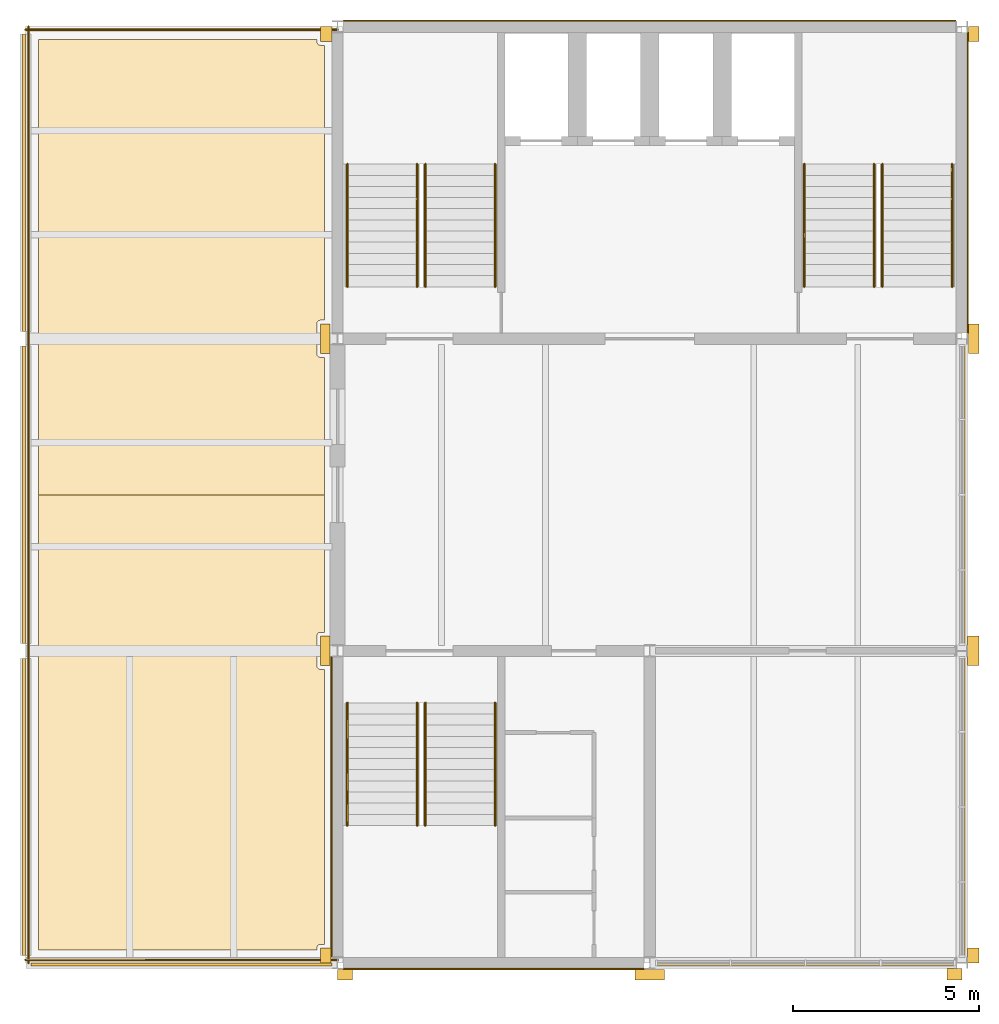
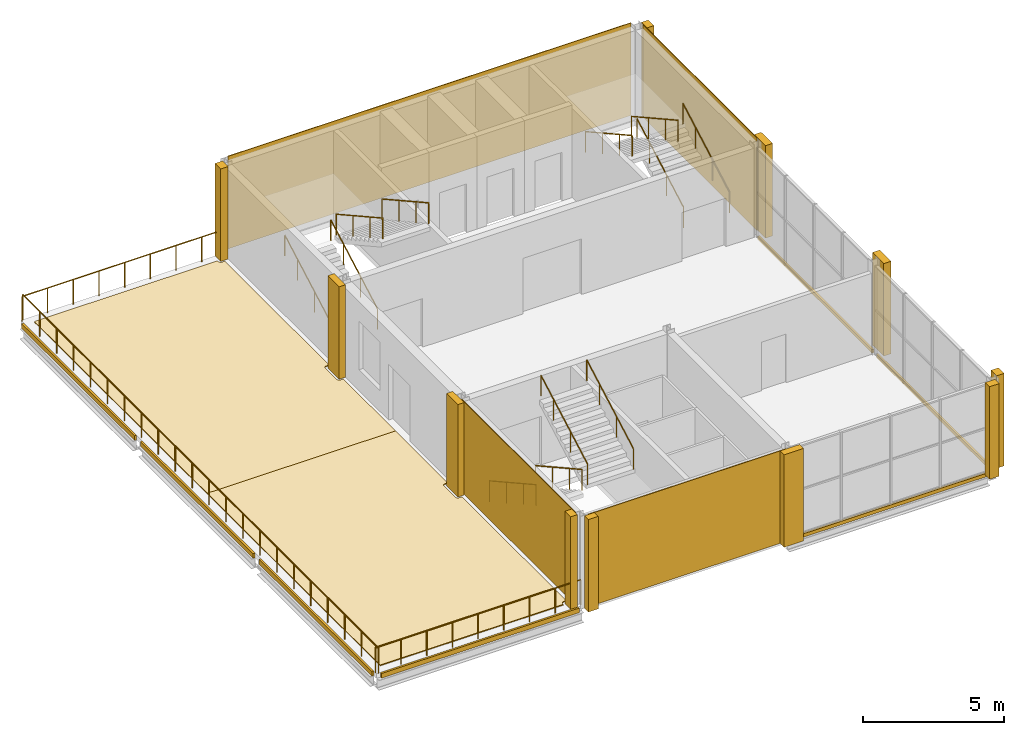
# One storey, part 6 of 6: 24 coverings, 15 railings.
"""IFC4 building model written with IfcOpenShell, lengths in metres."""

from ifc_helpers import new_model, si_unit, direction, frame, origin, origin_2d, place, context, subcontext, project, spatial, polyline, rectangle, circle, outline, extrude, material, layer, layer_set, type_object, element, save


model = new_model("IFC4")

# Units and contexts
model_context = context("Model", 3, precision=1e-05, world=origin(), true_north=direction((0.0, 1.0)))
body_context = subcontext(model_context, "Body", "Model", "MODEL_VIEW")
ifc_project = project(units=[si_unit("LENGTHUNIT", "METRE"), si_unit("AREAUNIT", "SQUARE_METRE"), si_unit("VOLUMEUNIT", "CUBIC_METRE"), si_unit("PLANEANGLEUNIT", "RADIAN"), si_unit("MASSUNIT", "GRAM", prefix="KILO")], contexts=[model_context])

# Site, building, storey
site_placement = place(None, origin())
site = spatial("IfcSite", under=ifc_project, at=site_placement, CompositionType="ELEMENT")
building_placement = place(site_placement, origin())
building = spatial("IfcBuilding", under=site, at=building_placement, Name="Galleria Vessillo Department Store", CompositionType="ELEMENT")
storey_placement = place(building_placement, frame((0.0, 0.0, 59.60009765625)))
storey = spatial("IfcBuildingStorey", under=building, at=storey_placement, Name="L13", CompositionType="ELEMENT", Elevation=59.60009765625)

# Coverings
ifc_material_1 = material(Name="Lime plaster (intonaco) ochre")
ifc_layer_1 = layer(ifc_material_1, 0.030029296875)
ifc_layer_set_1 = layer_set([ifc_layer_1], Name="Lime plaster (intonaco) ochre")
covering_type_1 = type_object("IfcCoveringType", Name="Lime plaster render 30 mm", PredefinedType="CLADDING", material=ifc_layer_set_1)
covering_1_placement = place(storey_placement, frame((109.195068359375, 63.1650390625, 0.0), z_axis=(0.0, 0.0, 1.0), x_axis=(1.0, 0.0, 0.0)))
element("IfcCovering", 1, at=covering_1_placement, inside=storey, type_object=covering_type_1, Name="Wall cladding S-CW-TC-PARTY-L13", PredefinedType="CLADDING", context=body_context, shape_type="SweptSolid", body=[
    extrude(rectangle(XDim=16.489990234375, YDim=0.030029296875, at=origin_2d()), origin(), (0.0, 0.0, 1.0), 4.0),
])
ifc_material_2 = material(Name="Botticino limestone ashlar", Category="masonry")
ifc_layer_2 = layer(ifc_material_2, 0.14990234375)
ifc_layer_set_2 = layer_set([ifc_layer_2], Name="Botticino limestone ashlar")
covering_type_2 = type_object("IfcCoveringType", Name="Limestone slab-edge fascia 150 mm", PredefinedType="CLADDING", material=ifc_layer_set_2)
covering_2_placement = place(storey_placement, frame((92.35986328125, 42.0, -0.2001953125), z_axis=(0.0, 0.0, 1.0), x_axis=(1.0, 0.0, 0.0)))
element("IfcCovering", 2, at=covering_2_placement, inside=storey, type_object=covering_type_2, Name="Slab-edge fascia TW-L12-01", PredefinedType="CLADDING", context=body_context, shape_type="SweptSolid", body=[
    extrude(rectangle(XDim=0.080078125, YDim=8.0, at=origin_2d()), origin(), (0.0, 0.0, 1.0), 0.199951171875),
])
covering_3_placement = place(storey_placement, frame((92.35986328125, 50.39990234375, -0.2001953125), z_axis=(0.0, 0.0, 1.0), x_axis=(1.0, 0.0, 0.0)))
element("IfcCovering", 3, at=covering_3_placement, inside=storey, type_object=covering_type_2, Name="Slab-edge fascia TW-L12-02", PredefinedType="CLADDING", context=body_context, shape_type="SweptSolid", body=[
    extrude(rectangle(XDim=0.080078125, YDim=8.000244140625, at=origin_2d()), origin(), (0.0, 0.0, 1.0), 0.199951171875),
])
covering_4_placement = place(storey_placement, frame((92.35986328125, 58.800048828125, -0.2001953125), z_axis=(0.0, 0.0, 1.0), x_axis=(1.0, 0.0, 0.0)))
element("IfcCovering", 4, at=covering_4_placement, inside=storey, type_object=covering_type_2, Name="Slab-edge fascia TW-L12-03", PredefinedType="CLADDING", context=body_context, shape_type="SweptSolid", body=[
    extrude(rectangle(XDim=0.080078125, YDim=8.0, at=origin_2d()), origin(), (0.0, 0.0, 1.0), 0.199951171875),
])
covering_5_placement = place(storey_placement, frame((96.60009765625, 37.760009765625, -0.2001953125), z_axis=(0.0, 0.0, 1.0), x_axis=(1.0, 0.0, 0.0)))
element("IfcCovering", 5, at=covering_5_placement, inside=storey, type_object=covering_type_2, Name="Slab-edge fascia TS-L12-01", PredefinedType="CLADDING", context=body_context, shape_type="SweptSolid", body=[
    extrude(rectangle(XDim=8.10009765625, YDim=0.080078125, at=origin_2d()), origin(), (0.0, 0.0, 1.0), 0.199951171875),
])
covering_6_placement = place(storey_placement, frame((113.375, 37.760009765625, -0.14990234375), z_axis=(0.0, 0.0, 1.0), x_axis=(1.0, 0.0, 0.0)))
element("IfcCovering", 6, at=covering_6_placement, inside=storey, type_object=covering_type_2, Name="Slab-edge fascia TS-L12-02", PredefinedType="CLADDING", context=body_context, shape_type="SweptSolid", body=[
    extrude(rectangle(XDim=8.050048828125, YDim=0.080078125, at=origin_2d()), origin(), (0.0, 0.0, 1.0), 0.14990234375),
])
covering_7_placement = place(storey_placement, frame((117.64013671875, 42.0, -0.14990234375), z_axis=(0.0, 0.0, 1.0), x_axis=(1.0, 0.0, 0.0)))
element("IfcCovering", 7, at=covering_7_placement, inside=storey, type_object=covering_type_2, Name="Slab-edge fascia TE-L12-01", PredefinedType="CLADDING", context=body_context, shape_type="SweptSolid", body=[
    extrude(rectangle(XDim=0.080078125, YDim=8.099853515625, at=origin_2d()), origin(), (0.0, 0.0, 1.0), 0.14990234375),
])
covering_8_placement = place(storey_placement, frame((117.64013671875, 50.39990234375, -0.14990234375), z_axis=(0.0, 0.0, 1.0), x_axis=(1.0, 0.0, 0.0)))
element("IfcCovering", 8, at=covering_8_placement, inside=storey, type_object=covering_type_2, Name="Slab-edge fascia TE-L12-02", PredefinedType="CLADDING", context=body_context, shape_type="SweptSolid", body=[
    extrude(rectangle(XDim=0.080078125, YDim=8.10009765625, at=origin_2d()), origin(), (0.0, 0.0, 1.0), 0.14990234375),
])
ifc_material_3 = material(Name="Botticino limestone ashlar", Category="masonry")
ifc_layer_3 = layer(ifc_material_3, 0.31005859375)
ifc_layer_set_3 = layer_set([ifc_layer_3], Name="Botticino limestone ashlar")
covering_type_3 = type_object("IfcCoveringType", Name="Limestone tower pilaster strip", PredefinedType="CLADDING", material=ifc_layer_set_3)
covering_9_placement = place(storey_placement, frame((100.47998046875, 38.0, 0.0), z_axis=(0.0, 0.0, 1.0), x_axis=(1.0, 0.0, 0.0)))
element("IfcCovering", 9, at=covering_9_placement, inside=storey, type_object=covering_type_3, Name="Tower pilaster strip W L13 37.8", PredefinedType="CLADDING", context=body_context, shape_type="SweptSolid", body=[
    extrude(rectangle(XDim=0.280029296875, YDim=0.39990234375, at=origin_2d()), origin(), (0.0, 0.0, 1.0), 4.0),
])
for number, where, z_axis, x_axis, name in (
    (10, (100.469970703125, 46.199951171875, 0.0), (0.0, 0.0, 1.0), (1.0, 0.0, 0.0), "Tower pilaster strip W L13 46.2"),
    (11, (100.469970703125, 54.60009765625, 0.0), (0.0, 0.0, 1.0), (1.0, 0.0, 0.0), "Tower pilaster strip W L13 54.6"),
):
    element("IfcCovering", number, at=place(storey_placement, frame(where, z_axis=z_axis, x_axis=x_axis)), inside=storey, type_object=covering_type_3, Name=name, PredefinedType="CLADDING", context=body_context, shape_type="SweptSolid", body=[
        extrude(rectangle(XDim=0.260009765625, YDim=0.800048828125, at=origin_2d()), origin(), (0.0, 0.0, 1.0), 4.0),
    ])
covering_10_placement = place(storey_placement, frame((100.4951171875, 62.800048828125, 0.0), z_axis=(0.0, 0.0, 1.0), x_axis=(1.0, 0.0, 0.0)))
element("IfcCovering", 12, at=covering_10_placement, inside=storey, type_object=covering_type_3, Name="Tower pilaster strip W L13 63.0", PredefinedType="CLADDING", context=body_context, shape_type="SweptSolid", body=[
    extrude(rectangle(XDim=0.31005859375, YDim=0.39990234375, at=origin_2d()), origin(), (0.0, 0.0, 1.0), 4.0),
])
covering_11_placement = place(storey_placement, frame((117.909912109375, 38.0, 0.0), z_axis=(0.0, 0.0, 1.0), x_axis=(1.0, 0.0, 0.0)))
element("IfcCovering", 13, at=covering_11_placement, inside=storey, type_object=covering_type_3, Name="Tower pilaster strip E L13 37.8", PredefinedType="CLADDING", context=body_context, shape_type="SweptSolid", body=[
    extrude(rectangle(XDim=0.300048828125, YDim=0.39990234375, at=origin_2d()), origin(), (0.0, 0.0, 1.0), 4.0),
])
covering_12_placement = place(storey_placement, frame((117.909912109375, 46.199951171875, 0.0), z_axis=(0.0, 0.0, 1.0), x_axis=(1.0, 0.0, 0.0)))
element("IfcCovering", 14, at=covering_12_placement, inside=storey, type_object=covering_type_3, Name="Tower pilaster strip E L13 46.2", PredefinedType="CLADDING", context=body_context, shape_type="SweptSolid", body=[
    extrude(rectangle(XDim=0.300048828125, YDim=0.800048828125, at=origin_2d()), origin(), (0.0, 0.0, 1.0), 4.0),
])
covering_13_placement = place(storey_placement, frame((117.919921875, 54.60009765625, 0.0), z_axis=(0.0, 0.0, 1.0), x_axis=(1.0, 0.0, 0.0)))
element("IfcCovering", 15, at=covering_13_placement, inside=storey, type_object=covering_type_3, Name="Tower pilaster strip E L13 54.6", PredefinedType="CLADDING", context=body_context, shape_type="SweptSolid", body=[
    extrude(rectangle(XDim=0.280029296875, YDim=0.800048828125, at=origin_2d()), origin(), (0.0, 0.0, 1.0), 4.0),
])
covering_14_placement = place(storey_placement, frame((117.919921875, 62.800048828125, 0.0), z_axis=(0.0, 0.0, 1.0), x_axis=(1.0, 0.0, 0.0)))
element("IfcCovering", 16, at=covering_14_placement, inside=storey, type_object=covering_type_3, Name="Tower pilaster strip E L13 63.0", PredefinedType="CLADDING", context=body_context, shape_type="SweptSolid", body=[
    extrude(rectangle(XDim=0.280029296875, YDim=0.39990234375, at=origin_2d()), origin(), (0.0, 0.0, 1.0), 4.0),
])
covering_15_placement = place(storey_placement, frame((101.0, 37.47998046875, 0.0), z_axis=(0.0, 0.0, 1.0), x_axis=(1.0, 0.0, 0.0)))
element("IfcCovering", 17, at=covering_15_placement, inside=storey, type_object=covering_type_3, Name="Tower pilaster strip S L13 100.8", PredefinedType="CLADDING", context=body_context, shape_type="SweptSolid", body=[
    extrude(rectangle(XDim=0.39990234375, YDim=0.280029296875, at=origin_2d()), origin(), (0.0, 0.0, 1.0), 4.0),
])
covering_16_placement = place(storey_placement, frame((109.199951171875, 37.47998046875, 0.0), z_axis=(0.0, 0.0, 1.0), x_axis=(1.0, 0.0, 0.0)))
element("IfcCovering", 18, at=covering_16_placement, inside=storey, type_object=covering_type_3, Name="Tower pilaster strip S L13 109.2", PredefinedType="CLADDING", context=body_context, shape_type="SweptSolid", body=[
    extrude(rectangle(XDim=0.800048828125, YDim=0.280029296875, at=origin_2d()), origin(), (0.0, 0.0, 1.0), 4.0),
])
covering_17_placement = place(storey_placement, frame((117.400146484375, 37.4951171875, 0.0), z_axis=(0.0, 0.0, 1.0), x_axis=(1.0, 0.0, 0.0)))
element("IfcCovering", 19, at=covering_17_placement, inside=storey, type_object=covering_type_3, Name="Tower pilaster strip S L13 117.6", PredefinedType="CLADDING", context=body_context, shape_type="SweptSolid", body=[
    extrude(rectangle(XDim=0.39990234375, YDim=0.31005859375, at=origin_2d()), origin(), (0.0, 0.0, 1.0), 4.0),
])
ifc_material_4 = material(Name="Botticino limestone ashlar", Category="masonry")
ifc_layer_4 = layer(ifc_material_4, 0.030029296875)
ifc_layer_set_4 = layer_set([ifc_layer_4], Name="Botticino limestone ashlar")
covering_type_4 = type_object("IfcCoveringType", Name="Limestone wall cladding 30 mm", PredefinedType="CLADDING", material=ifc_layer_set_4)
covering_18_placement = place(storey_placement, frame((117.76513671875, 58.800048828125, 0.0), z_axis=(0.0, 0.0, 1.0), x_axis=(1.0, 0.0, 0.0)))
element("IfcCovering", 20, at=covering_18_placement, inside=storey, type_object=covering_type_4, Name="Wall cladding S-CW-TC-EAST-L13", PredefinedType="CLADDING", context=body_context, shape_type="SweptSolid", body=[
    extrude(rectangle(XDim=0.030029296875, YDim=8.099853515625, at=origin_2d()), origin(), (0.0, 0.0, 1.0), 4.0),
])
covering_19_placement = place(storey_placement, frame((105.0, 37.635009765625, 0.0), z_axis=(0.0, 0.0, 1.0), x_axis=(1.0, 0.0, 0.0)))
element("IfcCovering", 21, at=covering_19_placement, inside=storey, type_object=covering_type_4, Name="Wall cladding S-CW-TS-PARTY-L13", PredefinedType="CLADDING", context=body_context, shape_type="SweptSolid", body=[
    extrude(rectangle(XDim=8.099853515625, YDim=0.030029296875, at=origin_2d()), origin(), (0.0, 0.0, 1.0), 4.0),
])
covering_20_placement = place(storey_placement, frame((100.635009765625, 42.0, 0.0), z_axis=(0.0, 0.0, 1.0), x_axis=(1.0, 0.0, 0.0)))
element("IfcCovering", 22, at=covering_20_placement, inside=storey, type_object=covering_type_4, Name="Wall cladding S-CW-TS-WEST-L13", PredefinedType="CLADDING", context=body_context, shape_type="SweptSolid", body=[
    extrude(rectangle(XDim=0.030029296875, YDim=8.079833984375, at=origin_2d()), origin(), (0.0, 0.0, 1.0), 4.0),
])
ifc_material_5 = material(Name="Serizzo granite paving", Category="masonry")
ifc_layer_5 = layer(ifc_material_5, 0.0400390625)
ifc_layer_set_5 = layer_set([ifc_layer_5], Name="Serizzo granite paving")
covering_type_5 = type_object("IfcCoveringType", Name="Serizzo stone terrace paving 40 mm", PredefinedType="FLOORING", material=ifc_layer_set_5)
covering_21_placement = place(storey_placement, origin())
element("IfcCovering", 23, at=covering_21_placement, inside=storey, type_object=covering_type_5, Name="Terrace paving L13 field 1", PredefinedType="FLOORING", context=body_context, shape_type="SweptSolid", body=[
    extrude(outline(polyline([(100.449951171875, 46.699951171875), (100.340087890625, 46.699951171875), (100.330322265625, 46.699462890625), (100.320556640625, 46.697998046875), (100.31103515625, 46.69580078125), (100.3017578125, 46.6923828125), (100.29296875, 46.688232421875), (100.284423828125, 46.68310546875), (100.276611328125, 46.67724609375), (100.269287109375, 46.670654296875), (100.2626953125, 46.663330078125), (100.2568359375, 46.655517578125), (100.251953125, 46.647216796875), (100.24755859375, 46.63818359375), (100.244384765625, 46.629150390625), (100.241943359375, 46.61962890625), (100.240478515625, 46.60986328125), (100.239990234375, 46.60009765625), (100.239990234375, 45.800048828125), (100.240478515625, 45.790283203125), (100.241943359375, 45.780517578125), (100.244384765625, 45.77099609375), (100.24755859375, 45.76171875), (100.251953125, 45.7529296875), (100.2568359375, 45.744384765625), (100.2626953125, 45.736572265625), (100.269287109375, 45.729248046875), (100.276611328125, 45.72265625), (100.284423828125, 45.716796875), (100.29296875, 45.7119140625), (100.3017578125, 45.70751953125), (100.31103515625, 45.704345703125), (100.320556640625, 45.701904296875), (100.330322265625, 45.700439453125), (100.340087890625, 45.699951171875), (100.449951171875, 45.699951171875), (100.449951171875, 38.300048828125), (100.340087890625, 38.300048828125), (100.330322265625, 38.299560546875), (100.320556640625, 38.298095703125), (100.31103515625, 38.295654296875), (100.3017578125, 38.29248046875), (100.29296875, 38.2880859375), (100.284423828125, 38.283203125), (100.276611328125, 38.27734375), (100.269287109375, 38.270751953125), (100.2626953125, 38.263427734375), (100.2568359375, 38.255615234375), (100.251953125, 38.2470703125), (100.24755859375, 38.23828125), (100.244384765625, 38.22900390625), (100.241943359375, 38.219482421875), (100.240478515625, 38.209716796875), (100.239990234375, 38.199951171875), (100.239990234375, 38.150146484375), (92.75, 38.150146484375), (92.75, 50.39990234375), (100.449951171875, 50.39990234375), (100.449951171875, 46.699951171875)])), origin(), (0.0, 0.0, 1.0), 0.0400390625),
])
covering_22_placement = place(storey_placement, origin())
element("IfcCovering", 24, at=covering_22_placement, inside=storey, type_object=covering_type_5, Name="Terrace paving L13 field 2", PredefinedType="FLOORING", context=body_context, shape_type="SweptSolid", body=[
    extrude(outline(polyline([(100.239990234375, 62.64990234375), (100.239990234375, 62.60009765625), (100.240478515625, 62.590087890625), (100.241943359375, 62.58056640625), (100.244384765625, 62.571044921875), (100.24755859375, 62.561767578125), (100.251953125, 62.552978515625), (100.2568359375, 62.54443359375), (100.2626953125, 62.53662109375), (100.269287109375, 62.529296875), (100.276611328125, 62.522705078125), (100.284423828125, 62.516845703125), (100.29296875, 62.51171875), (100.3017578125, 62.507568359375), (100.31103515625, 62.50439453125), (100.320556640625, 62.501953125), (100.330322265625, 62.50048828125), (100.340087890625, 62.5), (100.449951171875, 62.5), (100.449951171875, 55.10009765625), (100.340087890625, 55.10009765625), (100.330322265625, 55.099609375), (100.320556640625, 55.09814453125), (100.31103515625, 55.095703125), (100.3017578125, 55.092529296875), (100.29296875, 55.08837890625), (100.284423828125, 55.083251953125), (100.276611328125, 55.077392578125), (100.269287109375, 55.07080078125), (100.2626953125, 55.0634765625), (100.2568359375, 55.0556640625), (100.251953125, 55.047119140625), (100.24755859375, 55.038330078125), (100.244384765625, 55.029052734375), (100.241943359375, 55.01953125), (100.240478515625, 55.010009765625), (100.239990234375, 55.0), (100.239990234375, 54.2001953125), (100.240478515625, 54.190185546875), (100.241943359375, 54.1806640625), (100.244384765625, 54.171142578125), (100.24755859375, 54.161865234375), (100.251953125, 54.153076171875), (100.2568359375, 54.14453125), (100.2626953125, 54.13671875), (100.269287109375, 54.12939453125), (100.276611328125, 54.122802734375), (100.284423828125, 54.116943359375), (100.29296875, 54.11181640625), (100.3017578125, 54.107666015625), (100.31103515625, 54.1044921875), (100.320556640625, 54.10205078125), (100.330322265625, 54.1005859375), (100.340087890625, 54.10009765625), (100.449951171875, 54.10009765625), (100.449951171875, 50.39990234375), (92.75, 50.39990234375), (92.75, 62.64990234375), (100.239990234375, 62.64990234375)])), origin(), (0.0, 0.0, 1.0), 0.0400390625),
])

# Railings
ifc_material_6 = material(Name="Stainless steel tube", Category="steel")
railing_type_1 = type_object("IfcRailingType", Name="Stair handrail steel tube 48 mm", PredefinedType="HANDRAIL", material=ifc_material_6)
for number, where, name in (
    (25, (101.06005859375, 56.0, 0.166748046875), "Handrail ST8 L13 flight 1A"),
    (26, (102.93994140625, 56.0, 0.166748046875), "Handrail ST8 L13 flight 1B"),
):
    element("IfcRailing", number, at=place(storey_placement, frame(where)), inside=storey, type_object=railing_type_1, Name=name, PredefinedType="HANDRAIL", context=body_context, shape_type="SweptSolid", body=[
        extrude(circle(Radius=0.02392578125, at=origin_2d()), frame((0.0, 0.0, 0.89599609375), z_axis=(0.0, 0.874199221805, 0.485567421267), x_axis=(-1.0, 0.0, 0.0)), (0.0, 0.0, 1.0), 1.37255859375),
        extrude(circle(Radius=0.02392578125, at=origin_2d()), frame((0.0, 1.199951171875, 1.5625), z_axis=(0.0, 0.874123717778, 0.485703331282), x_axis=(-1.0, 0.0, 0.0)), (0.0, 0.0, 1.0), 1.372802734375),
        extrude(circle(Radius=0.02392578125, at=origin_2d()), frame((0.0, 2.39990234375, 2.22900390625), z_axis=(0.0, 0.874190826042, 0.485582536407), x_axis=(-1.0, 0.0, 0.0)), (0.0, 0.0, 1.0), 1.02978515625),
        extrude(circle(Radius=0.02099609375, at=origin_2d()), origin(), (0.0, 0.0, 1.0), 0.871826171875),
        extrude(circle(Radius=0.02099609375, at=origin_2d()), frame((0.0, 1.199951171875, 0.66650390625)), (0.0, 0.0, 1.0), 0.871826171875),
        extrude(circle(Radius=0.02099609375, at=origin_2d()), frame((0.0, 2.39990234375, 1.333251953125)), (0.0, 0.0, 1.0), 0.871826171875),
        extrude(circle(Radius=0.02099609375, at=origin_2d()), frame((0.0, 3.300048828125, 1.833251953125)), (0.0, 0.0, 1.0), 0.871826171875),
    ])
for number, where, name in (
    (27, (105.0400390625, 59.300048828125, 2.166748046875), "Handrail ST8 L13 flight 2A"),
    (28, (103.16015625, 59.300048828125, 2.166748046875), "Handrail ST8 L13 flight 2B"),
):
    element("IfcRailing", number, at=place(storey_placement, frame(where)), inside=storey, type_object=railing_type_1, Name=name, PredefinedType="HANDRAIL", context=body_context, shape_type="SweptSolid", body=[
        extrude(circle(Radius=0.02392578125, at=origin_2d()), frame((0.0, 0.0, 0.89599609375), z_axis=(0.0, -0.874199221805, 0.485567421267), x_axis=(1.0, 0.0, 0.0)), (0.0, 0.0, 1.0), 1.37255859375),
        extrude(circle(Radius=0.02392578125, at=origin_2d()), frame((0.0, -1.199951171875, 1.5625), z_axis=(0.0, -0.874123717778, 0.485703331282), x_axis=(1.0, 0.0, 0.0)), (0.0, 0.0, 1.0), 1.372802734375),
        extrude(circle(Radius=0.02392578125, at=origin_2d()), frame((0.0, -2.39990234375, 2.22900390625), z_axis=(0.0, -0.874190826042, 0.485582536407), x_axis=(1.0, 0.0, 0.0)), (0.0, 0.0, 1.0), 1.02978515625),
        extrude(circle(Radius=0.02099609375, at=origin_2d()), origin(), (0.0, 0.0, 1.0), 0.871826171875),
        extrude(circle(Radius=0.02099609375, at=origin_2d()), frame((0.0, -1.199951171875, 0.66650390625)), (0.0, 0.0, 1.0), 0.871826171875),
        extrude(circle(Radius=0.02099609375, at=origin_2d()), frame((0.0, -2.39990234375, 1.333251953125)), (0.0, 0.0, 1.0), 0.871826171875),
        extrude(circle(Radius=0.02099609375, at=origin_2d()), frame((0.0, -3.300048828125, 1.833251953125)), (0.0, 0.0, 1.0), 0.871826171875),
    ])
for number, where, name in (
    (29, (115.4599609375, 56.0, 0.166748046875), "Handrail ST9 L13 flight 1A"),
    (30, (117.33984375, 56.0, 0.166748046875), "Handrail ST9 L13 flight 1B"),
):
    element("IfcRailing", number, at=place(storey_placement, frame(where)), inside=storey, type_object=railing_type_1, Name=name, PredefinedType="HANDRAIL", context=body_context, shape_type="SweptSolid", body=[
        extrude(circle(Radius=0.02392578125, at=origin_2d()), frame((0.0, 0.0, 0.89599609375), z_axis=(0.0, 0.874199221805, 0.485567421267), x_axis=(-1.0, 0.0, 0.0)), (0.0, 0.0, 1.0), 1.37255859375),
        extrude(circle(Radius=0.02392578125, at=origin_2d()), frame((0.0, 1.199951171875, 1.5625), z_axis=(0.0, 0.874123717778, 0.485703331282), x_axis=(-1.0, 0.0, 0.0)), (0.0, 0.0, 1.0), 1.372802734375),
        extrude(circle(Radius=0.02392578125, at=origin_2d()), frame((0.0, 2.39990234375, 2.22900390625), z_axis=(0.0, 0.874190826042, 0.485582536407), x_axis=(-1.0, 0.0, 0.0)), (0.0, 0.0, 1.0), 1.02978515625),
        extrude(circle(Radius=0.02099609375, at=origin_2d()), origin(), (0.0, 0.0, 1.0), 0.871826171875),
        extrude(circle(Radius=0.02099609375, at=origin_2d()), frame((0.0, 1.199951171875, 0.66650390625)), (0.0, 0.0, 1.0), 0.871826171875),
        extrude(circle(Radius=0.02099609375, at=origin_2d()), frame((0.0, 2.39990234375, 1.333251953125)), (0.0, 0.0, 1.0), 0.871826171875),
        extrude(circle(Radius=0.02099609375, at=origin_2d()), frame((0.0, 3.300048828125, 1.833251953125)), (0.0, 0.0, 1.0), 0.871826171875),
    ])
for number, where, name in (
    (31, (115.239990234375, 59.300048828125, 2.166748046875), "Handrail ST9 L13 flight 2A"),
    (32, (113.360107421875, 59.300048828125, 2.166748046875), "Handrail ST9 L13 flight 2B"),
    (33, (102.93994140625, 44.800048828125, 0.166748046875), "Handrail ST12 L13 flight 1A"),
    (34, (101.06005859375, 44.800048828125, 0.166748046875), "Handrail ST12 L13 flight 1B"),
):
    element("IfcRailing", number, at=place(storey_placement, frame(where)), inside=storey, type_object=railing_type_1, Name=name, PredefinedType="HANDRAIL", context=body_context, shape_type="SweptSolid", body=[
        extrude(circle(Radius=0.02392578125, at=origin_2d()), frame((0.0, 0.0, 0.89599609375), z_axis=(0.0, -0.874199221805, 0.485567421267), x_axis=(1.0, 0.0, 0.0)), (0.0, 0.0, 1.0), 1.37255859375),
        extrude(circle(Radius=0.02392578125, at=origin_2d()), frame((0.0, -1.199951171875, 1.5625), z_axis=(0.0, -0.874123717778, 0.485703331282), x_axis=(1.0, 0.0, 0.0)), (0.0, 0.0, 1.0), 1.372802734375),
        extrude(circle(Radius=0.02392578125, at=origin_2d()), frame((0.0, -2.39990234375, 2.22900390625), z_axis=(0.0, -0.874190826042, 0.485582536407), x_axis=(1.0, 0.0, 0.0)), (0.0, 0.0, 1.0), 1.02978515625),
        extrude(circle(Radius=0.02099609375, at=origin_2d()), origin(), (0.0, 0.0, 1.0), 0.871826171875),
        extrude(circle(Radius=0.02099609375, at=origin_2d()), frame((0.0, -1.199951171875, 0.66650390625)), (0.0, 0.0, 1.0), 0.871826171875),
        extrude(circle(Radius=0.02099609375, at=origin_2d()), frame((0.0, -2.39990234375, 1.333251953125)), (0.0, 0.0, 1.0), 0.871826171875),
        extrude(circle(Radius=0.02099609375, at=origin_2d()), frame((0.0, -3.300048828125, 1.833251953125)), (0.0, 0.0, 1.0), 0.871826171875),
    ])
for number, where, name in (
    (35, (103.16015625, 41.5, 2.166748046875), "Handrail ST12 L13 flight 2A"),
    (36, (105.0400390625, 41.5, 2.166748046875), "Handrail ST12 L13 flight 2B"),
):
    element("IfcRailing", number, at=place(storey_placement, frame(where)), inside=storey, type_object=railing_type_1, Name=name, PredefinedType="HANDRAIL", context=body_context, shape_type="SweptSolid", body=[
        extrude(circle(Radius=0.02392578125, at=origin_2d()), frame((0.0, 0.0, 0.89599609375), z_axis=(0.0, 0.874199221805, 0.485567421267), x_axis=(-1.0, 0.0, 0.0)), (0.0, 0.0, 1.0), 1.37255859375),
        extrude(circle(Radius=0.02392578125, at=origin_2d()), frame((0.0, 1.199951171875, 1.5625), z_axis=(0.0, 0.874123717778, 0.485703331282), x_axis=(-1.0, 0.0, 0.0)), (0.0, 0.0, 1.0), 1.372802734375),
        extrude(circle(Radius=0.02392578125, at=origin_2d()), frame((0.0, 2.39990234375, 2.22900390625), z_axis=(0.0, 0.874190826042, 0.485582536407), x_axis=(-1.0, 0.0, 0.0)), (0.0, 0.0, 1.0), 1.02978515625),
        extrude(circle(Radius=0.02099609375, at=origin_2d()), origin(), (0.0, 0.0, 1.0), 0.871826171875),
        extrude(circle(Radius=0.02099609375, at=origin_2d()), frame((0.0, 1.199951171875, 0.66650390625)), (0.0, 0.0, 1.0), 0.871826171875),
        extrude(circle(Radius=0.02099609375, at=origin_2d()), frame((0.0, 2.39990234375, 1.333251953125)), (0.0, 0.0, 1.0), 0.871826171875),
        extrude(circle(Radius=0.02099609375, at=origin_2d()), frame((0.0, 3.300048828125, 1.833251953125)), (0.0, 0.0, 1.0), 0.871826171875),
    ])
ifc_material_7 = material(Name="Stainless steel tube", Category="steel")
railing_type_2 = type_object("IfcRailingType", Name="Terrace edge guard 1100 mm", PredefinedType="GUARDRAIL", material=ifc_material_7)
railing_placement = place(storey_placement, frame((92.47998046875, 37.800048828125, 0.0)))
element("IfcRailing", 37, at=railing_placement, inside=storey, type_object=railing_type_2, Name="Terrace guard L13-01", PredefinedType="GUARDRAIL", context=body_context, shape_type="SweptSolid", body=[
    extrude(circle(Radius=0.02392578125, at=origin_2d()), frame((0.0, 0.0, 1.076171875), z_axis=(0.0, 1.0, 0.0), x_axis=(-1.0, 0.0, 0.0)), (0.0, 0.0, 1.0), 25.199951171875),
    extrude(circle(Radius=0.02099609375, at=origin_2d()), origin(), (0.0, 0.0, 1.0), 1.052001953125),
    extrude(circle(Radius=0.02099609375, at=origin_2d()), frame((0.0, 1.199951171875, 0.0)), (0.0, 0.0, 1.0), 1.052001953125),
    extrude(circle(Radius=0.02099609375, at=origin_2d()), frame((0.0, 2.39990234375, 0.0)), (0.0, 0.0, 1.0), 1.052001953125),
    extrude(circle(Radius=0.02099609375, at=origin_2d()), frame((0.0, 3.60009765625, 0.0)), (0.0, 0.0, 1.0), 1.052001953125),
    extrude(circle(Radius=0.02099609375, at=origin_2d()), frame((0.0, 4.800048828125, 0.0)), (0.0, 0.0, 1.0), 1.052001953125),
    extrude(circle(Radius=0.02099609375, at=origin_2d()), frame((0.0, 6.0, 0.0)), (0.0, 0.0, 1.0), 1.052001953125),
    extrude(circle(Radius=0.02099609375, at=origin_2d()), frame((0.0, 7.199951171875, 0.0)), (0.0, 0.0, 1.0), 1.052001953125),
    extrude(circle(Radius=0.02099609375, at=origin_2d()), frame((0.0, 8.39990234375, 0.0)), (0.0, 0.0, 1.0), 1.052001953125),
    extrude(circle(Radius=0.02099609375, at=origin_2d()), frame((0.0, 9.60009765625, 0.0)), (0.0, 0.0, 1.0), 1.052001953125),
    extrude(circle(Radius=0.02099609375, at=origin_2d()), frame((0.0, 10.800048828125, 0.0)), (0.0, 0.0, 1.0), 1.052001953125),
    extrude(circle(Radius=0.02099609375, at=origin_2d()), frame((0.0, 12.0, 0.0)), (0.0, 0.0, 1.0), 1.052001953125),
    extrude(circle(Radius=0.02099609375, at=origin_2d()), frame((0.0, 13.199951171875, 0.0)), (0.0, 0.0, 1.0), 1.052001953125),
    extrude(circle(Radius=0.02099609375, at=origin_2d()), frame((0.0, 14.39990234375, 0.0)), (0.0, 0.0, 1.0), 1.052001953125),
    extrude(circle(Radius=0.02099609375, at=origin_2d()), frame((0.0, 15.599853515625, 0.0)), (0.0, 0.0, 1.0), 1.052001953125),
    extrude(circle(Radius=0.02099609375, at=origin_2d()), frame((0.0, 16.800048828125, 0.0)), (0.0, 0.0, 1.0), 1.052001953125),
    extrude(circle(Radius=0.02099609375, at=origin_2d()), frame((0.0, 18.0, 0.0)), (0.0, 0.0, 1.0), 1.052001953125),
    extrude(circle(Radius=0.02099609375, at=origin_2d()), frame((0.0, 19.199951171875, 0.0)), (0.0, 0.0, 1.0), 1.052001953125),
    extrude(circle(Radius=0.02099609375, at=origin_2d()), frame((0.0, 20.39990234375, 0.0)), (0.0, 0.0, 1.0), 1.052001953125),
    extrude(circle(Radius=0.02099609375, at=origin_2d()), frame((0.0, 21.599853515625, 0.0)), (0.0, 0.0, 1.0), 1.052001953125),
    extrude(circle(Radius=0.02099609375, at=origin_2d()), frame((0.0, 22.800048828125, 0.0)), (0.0, 0.0, 1.0), 1.052001953125),
    extrude(circle(Radius=0.02099609375, at=origin_2d()), frame((0.0, 24.0, 0.0)), (0.0, 0.0, 1.0), 1.052001953125),
    extrude(circle(Radius=0.02099609375, at=origin_2d()), frame((0.0, 25.199951171875, 0.0)), (0.0, 0.0, 1.0), 1.052001953125),
])
for number, where, name in (
    (38, (92.39990234375, 37.880126953125, 0.0), "Terrace guard L13-02"),
    (39, (92.39990234375, 62.919921875, 0.0), "Terrace guard L13-03"),
):
    element("IfcRailing", number, at=place(storey_placement, frame(where)), inside=storey, type_object=railing_type_2, Name=name, PredefinedType="GUARDRAIL", context=body_context, shape_type="SweptSolid", body=[
        extrude(circle(Radius=0.02392578125, at=origin_2d()), frame((0.0, 0.0, 1.076171875), z_axis=(1.0, 0.0, 0.0), x_axis=(0.0, 1.0, 0.0)), (0.0, 0.0, 1.0), 8.400146484375),
        extrude(circle(Radius=0.02099609375, at=origin_2d()), origin(), (0.0, 0.0, 1.0), 1.052001953125),
        extrude(circle(Radius=0.02099609375, at=origin_2d()), frame((1.050048828125, 0.0, 0.0)), (0.0, 0.0, 1.0), 1.052001953125),
        extrude(circle(Radius=0.02099609375, at=origin_2d()), frame((2.10009765625, 0.0, 0.0)), (0.0, 0.0, 1.0), 1.052001953125),
        extrude(circle(Radius=0.02099609375, at=origin_2d()), frame((3.150146484375, 0.0, 0.0)), (0.0, 0.0, 1.0), 1.052001953125),
        extrude(circle(Radius=0.02099609375, at=origin_2d()), frame((4.2001953125, 0.0, 0.0)), (0.0, 0.0, 1.0), 1.052001953125),
        extrude(circle(Radius=0.02099609375, at=origin_2d()), frame((5.25, 0.0, 0.0)), (0.0, 0.0, 1.0), 1.052001953125),
        extrude(circle(Radius=0.02099609375, at=origin_2d()), frame((6.300048828125, 0.0, 0.0)), (0.0, 0.0, 1.0), 1.052001953125),
        extrude(circle(Radius=0.02099609375, at=origin_2d()), frame((7.35009765625, 0.0, 0.0)), (0.0, 0.0, 1.0), 1.052001953125),
        extrude(circle(Radius=0.02099609375, at=origin_2d()), frame((8.400146484375, 0.0, 0.0)), (0.0, 0.0, 1.0), 1.052001953125),
    ])

save(model, "model.ifc")
